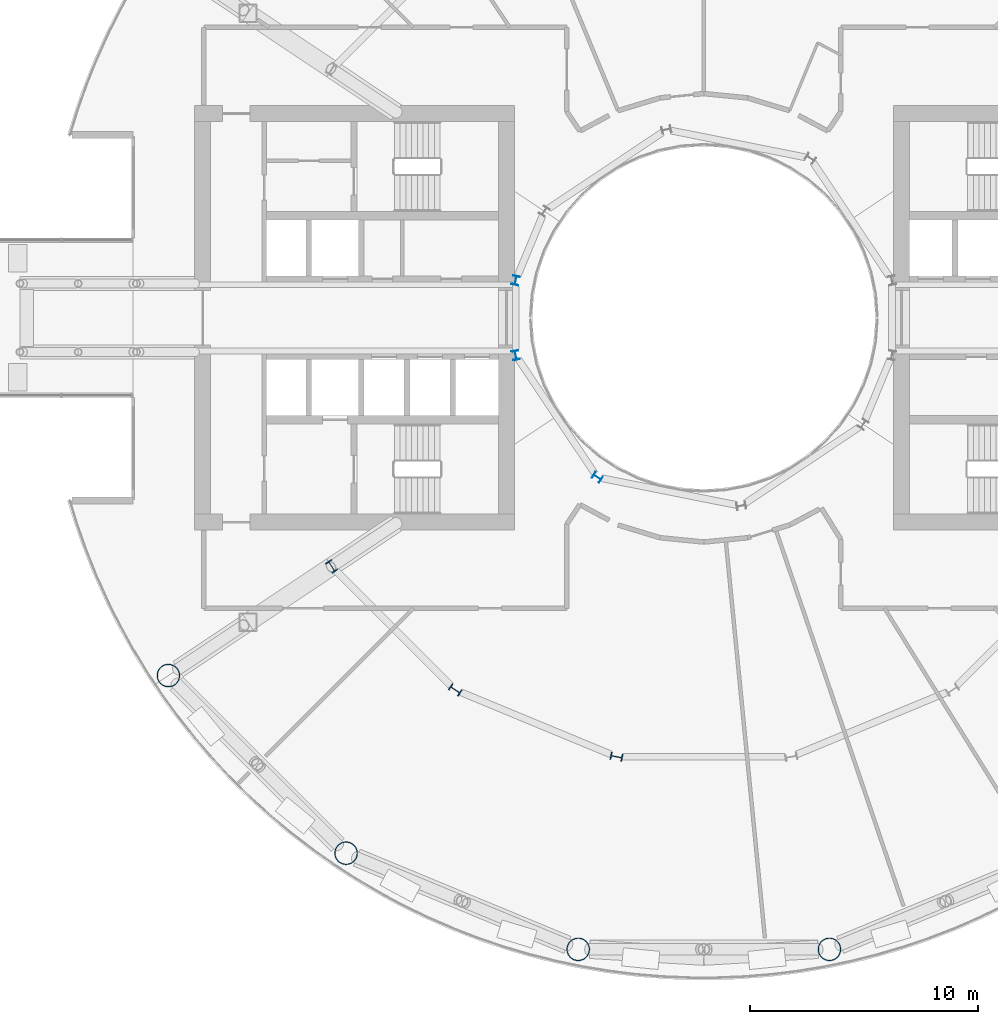
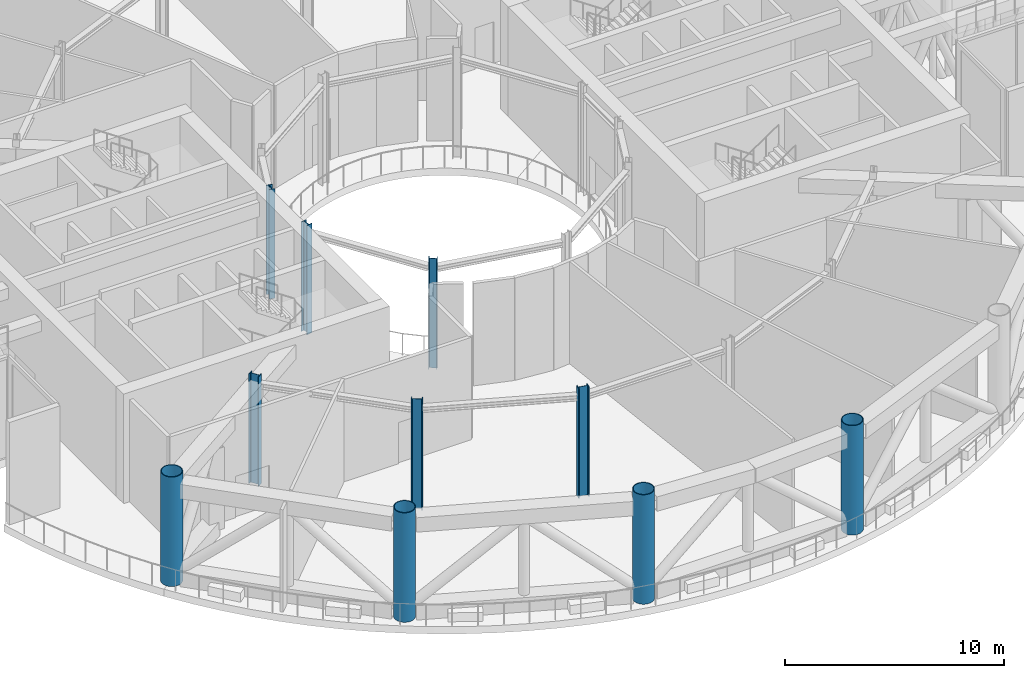
# One storey, part 1 of 23: 10 columns.
"""IFC4 building model written with IfcOpenShell, lengths in metres."""

from ifc_helpers import new_model, si_unit, direction, frame, origin, origin_2d, place, context, subcontext, project, spatial, hollow_circle, i_section, extrude, material, material_profile, profile_set, type_object, element, save


model = new_model("IFC4")

# Units and contexts
model_context = context("Model", 3, precision=1e-05, world=origin(), true_north=direction((0.0, 1.0)))
body_context = subcontext(model_context, "Body", "Model", "MODEL_VIEW")
ifc_project = project(units=[si_unit("LENGTHUNIT", "METRE"), si_unit("AREAUNIT", "SQUARE_METRE"), si_unit("VOLUMEUNIT", "CUBIC_METRE"), si_unit("PLANEANGLEUNIT", "RADIAN"), si_unit("MASSUNIT", "GRAM", prefix="KILO")], contexts=[model_context])

# Site, building, storey
site_placement = place(None, origin())
site = spatial("IfcSite", under=ifc_project, at=site_placement, CompositionType="ELEMENT")
building_placement = place(site_placement, origin())
building = spatial("IfcBuilding", under=site, at=building_placement, Name="Maasbend Ring Residences", CompositionType="ELEMENT")
storey_placement = place(building_placement, frame((0.0, 0.0, 97.14990234375)))
storey = spatial("IfcBuildingStorey", under=building, at=storey_placement, Name="L28", CompositionType="ELEMENT", Elevation=97.14990234375)

# Columns
ifc_material_1 = material(Name="Composite concrete-filled steel tube S460NH / C80/95", Category="concrete")
ifc_material_profile_1 = material_profile(ifc_material_1, hollow_circle(Radius=0.508056640625, WallThickness=0.0400390625, at=origin_2d()), Name="Composite tube column CHS 1016x40")
ifc_profile_set_1 = profile_set([ifc_material_profile_1], Name="Composite concrete-filled steel tube S460NH / C80/95")
column_type_1 = type_object("IfcColumnType", Name="Composite tube column CHS 1016x40", PredefinedType="COLUMN", material=ifc_profile_set_1)
for number, where, z_axis, x_axis, name in (
    (1, (-23.447509765625, -15.6669921875, 0.0), (0.0, 0.0, 1.0), (1.0, 0.0, 0.0), "Outer column R10"),
    (2, (-15.6669921875, -23.447509765625, 0.0), (0.0, 0.0, 1.0), (1.0, 0.0, 0.0), "Outer column R11"),
    (3, (-5.50146484375, -27.658203125, 0.0), (0.0, 0.0, 1.0), (1.0, 0.0, 0.0), "Outer column R12"),
    (4, (5.50146484375, -27.658203125, 0.0), (0.0, 0.0, 1.0), (1.0, 0.0, 0.0), "Outer column R13"),
):
    element("IfcColumn", number, at=place(storey_placement, frame(where, z_axis=z_axis, x_axis=x_axis)), inside=storey, type_object=column_type_1, Name=name, PredefinedType="COLUMN", context=body_context, shape_type="SweptSolid", body=[
        extrude(hollow_circle(Radius=0.508056640625, WallThickness=0.0400390625, at=origin_2d()), origin(), (0.0, 0.0, 1.0), 6.10009765625),
    ])
ifc_material_2 = material(Name="Steel S355J2", Category="steel")
ifc_material_profile_2 = material_profile(ifc_material_2, i_section(OverallWidth=0.300048828125, OverallDepth=0.39990234375, WebThickness=0.013427734375, FlangeThickness=0.02392578125, FilletRadius=0.027099609375, at=origin_2d()), Name="HEB 400")
ifc_profile_set_2 = profile_set([ifc_material_profile_2], Name="Steel S355J2")
column_type_2 = type_object("IfcColumnType", Name="Steel column HEB 400", PredefinedType="COLUMN", material=ifc_profile_set_2)
for number, where, z_axis, x_axis, name in (
    (5, (-8.238525390625, 1.638916015625, 0.0), (0.0, 0.0, 1.0), (-0.980785280403, 0.195090322016, 0.0), "Well ring column R8"),
    (6, (-8.238525390625, -1.638916015625, 0.0), (0.0, 0.0, 1.0), (-0.980785280403, -0.195090322016, 0.0), "Well ring column R9"),
    (7, (-4.666748046875, -6.984375, 0.0), (0.0, 0.0, 1.0), (-0.55557023302, -0.831469612303, 0.0), "Well ring column R11"),
):
    element("IfcColumn", number, at=place(storey_placement, frame(where, z_axis=z_axis, x_axis=x_axis)), inside=storey, type_object=column_type_2, Name=name, PredefinedType="COLUMN", context=body_context, shape_type="SweptSolid", body=[
        extrude(i_section(OverallWidth=0.300048828125, OverallDepth=0.39990234375, WebThickness=0.013427734375, FlangeThickness=0.02392578125, FilletRadius=0.027099609375, at=origin_2d()), origin(), (0.0, 0.0, 1.0), 6.10009765625),
    ])
ifc_material_3 = material(Name="Steel S460M", Category="steel")
ifc_material_profile_3 = material_profile(ifc_material_3, i_section(OverallWidth=0.305908203125, OverallDepth=0.52392578125, WebThickness=0.02099609375, FlangeThickness=0.0400390625, FilletRadius=0.027099609375, at=origin_2d()), Name="HEM 500")
ifc_profile_set_3 = profile_set([ifc_material_profile_3], Name="Steel S460M")
column_type_3 = type_object("IfcColumnType", Name="Steel column HEM 500", PredefinedType="COLUMN", material=ifc_profile_set_3)
for number, where, z_axis, x_axis, name in (
    (8, (-16.296875, -10.88916015625, 0.0), (0.0, 0.0, 1.0), (-0.831469612303, -0.55557023302, 0.0), "Corridor ring column R10"),
    (9, (-10.88916015625, -16.296875, 0.0), (0.0, 0.0, 1.0), (-0.55557023302, -0.831469612303, 0.0), "Corridor ring column R11"),
    (10, (-3.82373046875, -19.223388671875, 0.0), (0.0, 0.0, 1.0), (-0.195090322016, -0.980785280403, 0.0), "Corridor ring column R12"),
):
    element("IfcColumn", number, at=place(storey_placement, frame(where, z_axis=z_axis, x_axis=x_axis)), inside=storey, type_object=column_type_3, Name=name, PredefinedType="COLUMN", context=body_context, shape_type="SweptSolid", body=[
        extrude(i_section(OverallWidth=0.305908203125, OverallDepth=0.52392578125, WebThickness=0.02099609375, FlangeThickness=0.0400390625, FilletRadius=0.027099609375, at=origin_2d()), origin(), (0.0, 0.0, 1.0), 6.10009765625),
    ])

save(model, "model.ifc")
